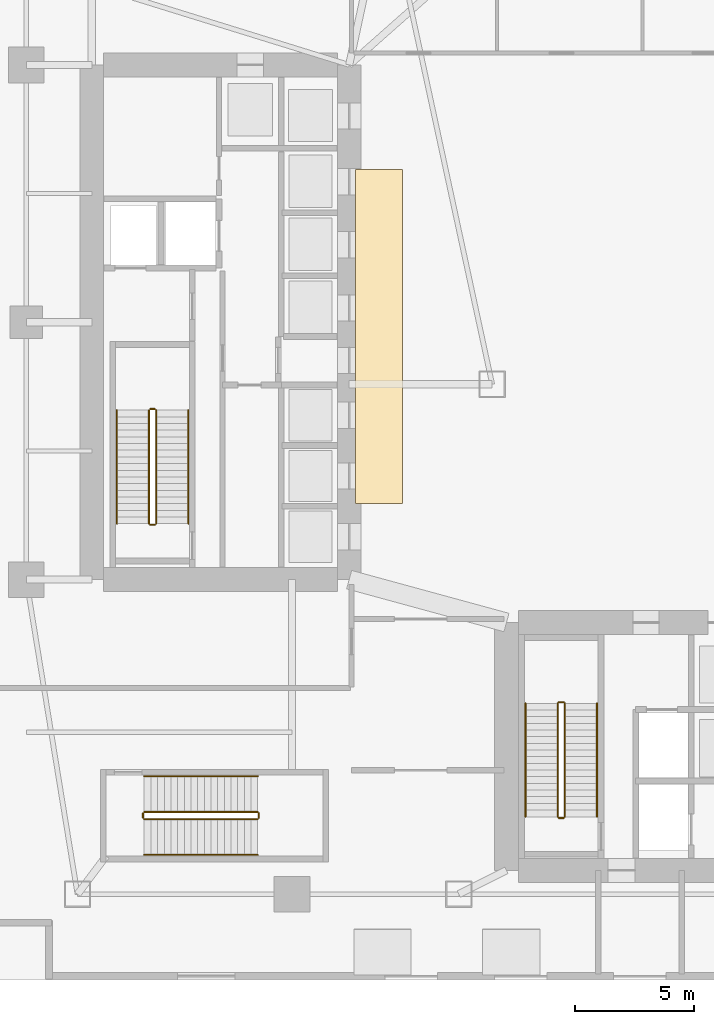
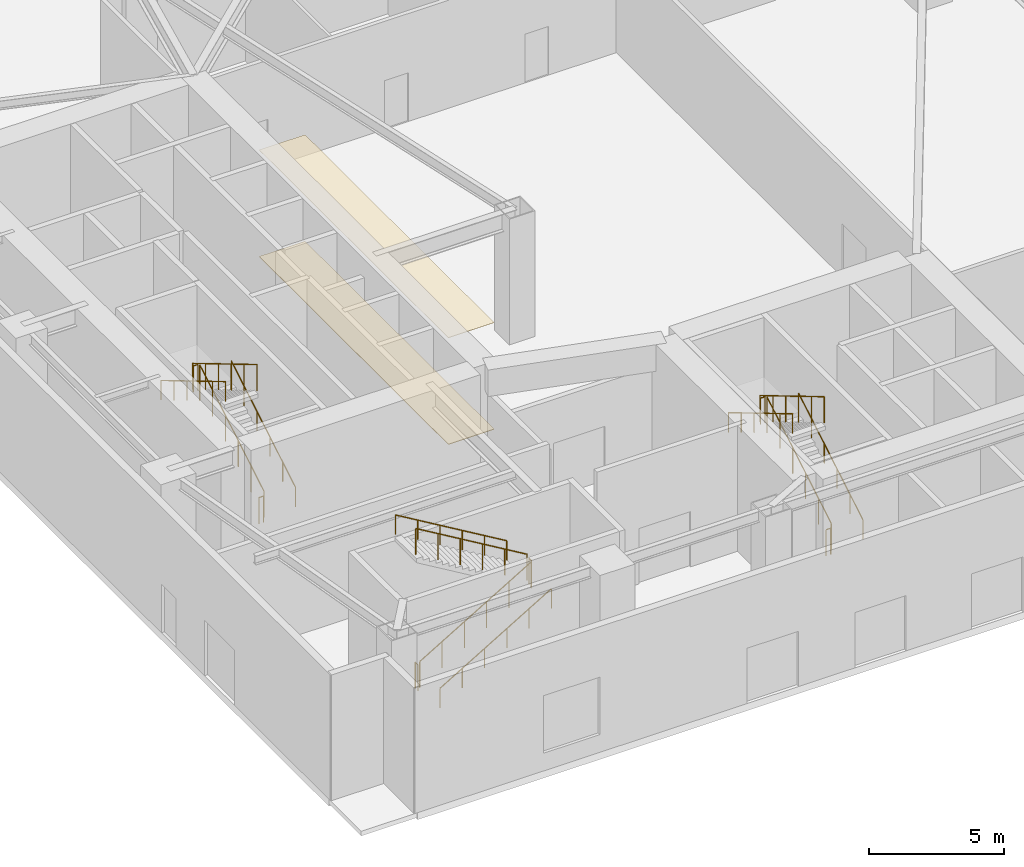
# One storey, part 16 of 20: 18 railings, 2 coverings.
"""IFC4 building model written with IfcOpenShell, lengths in metres."""

from ifc_helpers import new_model, si_unit, direction, frame, origin, origin_2d, place, context, subcontext, project, spatial, rectangle, circle, extrude, material, layer, layer_set, type_object, element, save


model = new_model("IFC4")

# Units and contexts
model_context = context("Model", 3, precision=1e-05, world=origin(), true_north=direction((0.0, 1.0)))
body_context = subcontext(model_context, "Body", "Model", "MODEL_VIEW")
ifc_project = project(units=[si_unit("LENGTHUNIT", "METRE"), si_unit("AREAUNIT", "SQUARE_METRE"), si_unit("VOLUMEUNIT", "CUBIC_METRE"), si_unit("PLANEANGLEUNIT", "RADIAN"), si_unit("MASSUNIT", "GRAM", prefix="KILO")], contexts=[model_context])

# Site, building, storey
site_placement = place(None, origin())
site = spatial("IfcSite", under=ifc_project, at=site_placement, CompositionType="ELEMENT")
building_placement = place(site_placement, origin())
building = spatial("IfcBuilding", under=site, at=building_placement, Name="Calvorn Quay Hotel", CompositionType="ELEMENT")
storey_placement = place(building_placement, origin())
storey = spatial("IfcBuildingStorey", under=building, at=storey_placement, Name="L00", CompositionType="ELEMENT", Elevation=0.0)

# Coverings
ifc_material_1 = material(Name="Anodised Aluminium Acoustic Baffle", Category="aluminium")
ifc_layer_1 = layer(ifc_material_1, 0.02001953125)
ifc_layer_set_1 = layer_set([ifc_layer_1], Name="COV-CEIL-METAL")
covering_type_1 = type_object("IfcCoveringType", Name="COV-CEIL-METAL", PredefinedType="CEILING", material=ifc_layer_set_1)
covering_1_placement = place(storey_placement, frame((16.25, 27.0, 4.820068359375), z_axis=(0.0, 0.0, 1.0), x_axis=(1.0, 0.0, 0.0)))
element("IfcCovering", 1, at=covering_1_placement, inside=storey, type_object=covering_type_1, Name="Acoustic Suspended Ceiling (L00)", PredefinedType="CEILING", context=body_context, shape_type="SweptSolid", body=[
    extrude(rectangle(XDim=1.9599609375, YDim=14.0, at=origin_2d()), origin(), (0.0, 0.0, 1.0), 0.02001953125),
])
ifc_material_2 = material(Name="Honed Granite Stone Flooring", Category="masonry")
ifc_layer_2 = layer(ifc_material_2, 0.02392578125)
ifc_layer_set_2 = layer_set([ifc_layer_2], Name="COV-FLOOR-STONE")
covering_type_2 = type_object("IfcCoveringType", Name="COV-FLOOR-STONE", PredefinedType="FLOORING", material=ifc_layer_set_2)
covering_2_placement = place(storey_placement, frame((16.25, 27.0, 0.0), z_axis=(0.0, 0.0, 1.0), x_axis=(1.0, 0.0, 0.0)))
element("IfcCovering", 2, at=covering_2_placement, inside=storey, type_object=covering_type_2, Name="Interior Floor Finish (L00)", PredefinedType="FLOORING", context=body_context, shape_type="SweptSolid", body=[
    extrude(rectangle(XDim=1.9599609375, YDim=14.0, at=origin_2d()), origin(), (0.0, 0.0, 1.0), 0.02392578125),
])

# Railings
ifc_material_3 = material(Name="Brushed Stainless Steel Handrail", Category="steel")
railing_type_1 = type_object("IfcRailingType", Name="RLG-HANDRAIL-900", PredefinedType="HANDRAIL", material=ifc_material_3)
railing_1_placement = place(storey_placement, frame((8.25, 19.14990234375, 0.166748046875)))
element("IfcRailing", 3, at=railing_1_placement, inside=storey, type_object=railing_type_1, Name="L00 ST-W stair handrail 1", PredefinedType="HANDRAIL", context=body_context, shape_type="SweptSolid", body=[
    extrude(circle(Radius=0.02392578125, at=origin_2d()), frame((0.0, 0.0, 0.8759765625), z_axis=(0.0, 0.859299802514, 0.511472237174), x_axis=(-1.0, 0.0, 0.0)), (0.0, 0.0, 1.0), 5.539306640625),
    extrude(circle(Radius=0.02099609375, at=origin_2d()), origin(), (0.0, 0.0, 1.0), 0.851806640625),
    extrude(circle(Radius=0.02099609375, at=origin_2d()), frame((0.0, 0.951904296875, 0.566650390625)), (0.0, 0.0, 1.0), 0.851806640625),
    extrude(circle(Radius=0.02099609375, at=origin_2d()), frame((0.0, 1.904052734375, 1.13330078125)), (0.0, 0.0, 1.0), 0.851806640625),
    extrude(circle(Radius=0.02099609375, at=origin_2d()), frame((0.0, 2.85595703125, 1.699951171875)), (0.0, 0.0, 1.0), 0.851806640625),
    extrude(circle(Radius=0.02099609375, at=origin_2d()), frame((0.0, 3.80810546875, 2.2666015625)), (0.0, 0.0, 1.0), 0.851806640625),
    extrude(circle(Radius=0.02099609375, at=origin_2d()), frame((0.0, 4.760009765625, 2.833251953125)), (0.0, 0.0, 1.0), 0.851806640625),
])
railing_2_placement = place(storey_placement, frame((5.25, 23.909912109375, 3.166748046875)))
element("IfcRailing", 4, at=railing_2_placement, inside=storey, type_object=railing_type_1, Name="L00 ST-W stair handrail 2", PredefinedType="HANDRAIL", context=body_context, shape_type="SweptSolid", body=[
    extrude(circle(Radius=0.02392578125, at=origin_2d()), frame((0.0, 0.0, 0.8759765625), z_axis=(0.0, -0.859299802514, 0.511472237174), x_axis=(1.0, 0.0, 0.0)), (0.0, 0.0, 1.0), 5.539306640625),
    extrude(circle(Radius=0.02099609375, at=origin_2d()), origin(), (0.0, 0.0, 1.0), 0.851806640625),
    extrude(circle(Radius=0.02099609375, at=origin_2d()), frame((0.0, -0.951904296875, 0.566650390625)), (0.0, 0.0, 1.0), 0.851806640625),
    extrude(circle(Radius=0.02099609375, at=origin_2d()), frame((0.0, -1.904052734375, 1.13330078125)), (0.0, 0.0, 1.0), 0.851806640625),
    extrude(circle(Radius=0.02099609375, at=origin_2d()), frame((0.0, -2.85595703125, 1.699951171875)), (0.0, 0.0, 1.0), 0.851806640625),
    extrude(circle(Radius=0.02099609375, at=origin_2d()), frame((0.0, -3.80810546875, 2.2666015625)), (0.0, 0.0, 1.0), 0.851806640625),
    extrude(circle(Radius=0.02099609375, at=origin_2d()), frame((0.0, -4.760009765625, 2.833251953125)), (0.0, 0.0, 1.0), 0.851806640625),
])
railing_3_placement = place(storey_placement, frame((25.39990234375, 6.85009765625, 0.166748046875)))
element("IfcRailing", 5, at=railing_3_placement, inside=storey, type_object=railing_type_1, Name="L00 ST-E stair handrail 1", PredefinedType="HANDRAIL", context=body_context, shape_type="SweptSolid", body=[
    extrude(circle(Radius=0.02392578125, at=origin_2d()), frame((0.0, 0.0, 0.8759765625), z_axis=(0.0, 0.859299802514, 0.511472237174), x_axis=(-1.0, 0.0, 0.0)), (0.0, 0.0, 1.0), 5.539306640625),
    extrude(circle(Radius=0.02099609375, at=origin_2d()), origin(), (0.0, 0.0, 1.0), 0.851806640625),
    extrude(circle(Radius=0.02099609375, at=origin_2d()), frame((0.0, 0.951904296875, 0.566650390625)), (0.0, 0.0, 1.0), 0.851806640625),
    extrude(circle(Radius=0.02099609375, at=origin_2d()), frame((0.0, 1.904052734375, 1.13330078125)), (0.0, 0.0, 1.0), 0.851806640625),
    extrude(circle(Radius=0.02099609375, at=origin_2d()), frame((0.0, 2.85595703125, 1.699951171875)), (0.0, 0.0, 1.0), 0.851806640625),
    extrude(circle(Radius=0.02099609375, at=origin_2d()), frame((0.0, 3.80810546875, 2.2666015625)), (0.0, 0.0, 1.0), 0.851806640625),
    extrude(circle(Radius=0.02099609375, at=origin_2d()), frame((0.0, 4.760009765625, 2.833251953125)), (0.0, 0.0, 1.0), 0.851806640625),
])
railing_4_placement = place(storey_placement, frame((22.39990234375, 11.610107421875, 3.166748046875)))
element("IfcRailing", 6, at=railing_4_placement, inside=storey, type_object=railing_type_1, Name="L00 ST-E stair handrail 2", PredefinedType="HANDRAIL", context=body_context, shape_type="SweptSolid", body=[
    extrude(circle(Radius=0.02392578125, at=origin_2d()), frame((0.0, 0.0, 0.8759765625), z_axis=(0.0, -0.859299802514, 0.511472237174), x_axis=(1.0, 0.0, 0.0)), (0.0, 0.0, 1.0), 5.539306640625),
    extrude(circle(Radius=0.02099609375, at=origin_2d()), origin(), (0.0, 0.0, 1.0), 0.851806640625),
    extrude(circle(Radius=0.02099609375, at=origin_2d()), frame((0.0, -0.951904296875, 0.566650390625)), (0.0, 0.0, 1.0), 0.851806640625),
    extrude(circle(Radius=0.02099609375, at=origin_2d()), frame((0.0, -1.904052734375, 1.13330078125)), (0.0, 0.0, 1.0), 0.851806640625),
    extrude(circle(Radius=0.02099609375, at=origin_2d()), frame((0.0, -2.85595703125, 1.699951171875)), (0.0, 0.0, 1.0), 0.851806640625),
    extrude(circle(Radius=0.02099609375, at=origin_2d()), frame((0.0, -3.80810546875, 2.2666015625)), (0.0, 0.0, 1.0), 0.851806640625),
    extrude(circle(Radius=0.02099609375, at=origin_2d()), frame((0.0, -4.760009765625, 2.833251953125)), (0.0, 0.0, 1.0), 0.851806640625),
])
railing_5_placement = place(storey_placement, frame((6.39990234375, 5.25, 0.166748046875)))
element("IfcRailing", 7, at=railing_5_placement, inside=storey, type_object=railing_type_1, Name="L00 ST-P2 stair handrail 1", PredefinedType="HANDRAIL", context=body_context, shape_type="SweptSolid", body=[
    extrude(circle(Radius=0.02392578125, at=origin_2d()), frame((0.0, 0.0, 0.8759765625), z_axis=(0.859299802514, 0.0, 0.511472237174), x_axis=(0.0, 1.0, 0.0)), (0.0, 0.0, 1.0), 5.539306640625),
    extrude(circle(Radius=0.02099609375, at=origin_2d()), origin(), (0.0, 0.0, 1.0), 0.851806640625),
    extrude(circle(Radius=0.02099609375, at=origin_2d()), frame((0.951904296875, 0.0, 0.566650390625)), (0.0, 0.0, 1.0), 0.851806640625),
    extrude(circle(Radius=0.02099609375, at=origin_2d()), frame((1.904052734375, 0.0, 1.13330078125)), (0.0, 0.0, 1.0), 0.851806640625),
    extrude(circle(Radius=0.02099609375, at=origin_2d()), frame((2.85595703125, 0.0, 1.699951171875)), (0.0, 0.0, 1.0), 0.851806640625),
    extrude(circle(Radius=0.02099609375, at=origin_2d()), frame((3.80810546875, 0.0, 2.2666015625)), (0.0, 0.0, 1.0), 0.851806640625),
    extrude(circle(Radius=0.02099609375, at=origin_2d()), frame((4.760009765625, 0.0, 2.833251953125)), (0.0, 0.0, 1.0), 0.851806640625),
])
railing_6_placement = place(storey_placement, frame((11.159912109375, 8.550048828125, 3.166748046875)))
element("IfcRailing", 8, at=railing_6_placement, inside=storey, type_object=railing_type_1, Name="L00 ST-P2 stair handrail 2", PredefinedType="HANDRAIL", context=body_context, shape_type="SweptSolid", body=[
    extrude(circle(Radius=0.02392578125, at=origin_2d()), frame((0.0, 0.0, 0.8759765625), z_axis=(-0.859299802514, 0.0, 0.511472237174), x_axis=(0.0, -1.0, 0.0)), (0.0, 0.0, 1.0), 5.539306640625),
    extrude(circle(Radius=0.02099609375, at=origin_2d()), origin(), (0.0, 0.0, 1.0), 0.851806640625),
    extrude(circle(Radius=0.02099609375, at=origin_2d()), frame((-0.951904296875, 0.0, 0.566650390625)), (0.0, 0.0, 1.0), 0.851806640625),
    extrude(circle(Radius=0.02099609375, at=origin_2d()), frame((-1.904052734375, 0.0, 1.13330078125)), (0.0, 0.0, 1.0), 0.851806640625),
    extrude(circle(Radius=0.02099609375, at=origin_2d()), frame((-2.85595703125, 0.0, 1.699951171875)), (0.0, 0.0, 1.0), 0.851806640625),
    extrude(circle(Radius=0.02099609375, at=origin_2d()), frame((-3.80810546875, 0.0, 2.2666015625)), (0.0, 0.0, 1.0), 0.851806640625),
    extrude(circle(Radius=0.02099609375, at=origin_2d()), frame((-4.760009765625, 0.0, 2.833251953125)), (0.0, 0.0, 1.0), 0.851806640625),
])
ifc_material_4 = material(Name="Painted Galvanised Steel Balustrade", Category="steel")
railing_type_2 = type_object("IfcRailingType", Name="RLG-STAIR-GUARD-1120", PredefinedType="GUARDRAIL", material=ifc_material_4)
railing_7_placement = place(storey_placement, frame((6.89990234375, 19.14990234375, 0.166748046875)))
element("IfcRailing", 9, at=railing_7_placement, inside=storey, type_object=railing_type_2, Name="L00 ST-W stair guard 1", PredefinedType="GUARDRAIL", context=body_context, shape_type="SweptSolid", body=[
    extrude(circle(Radius=0.02392578125, at=origin_2d()), frame((0.0, 0.0, 1.17578125), z_axis=(0.0, 0.859299802514, 0.511472237174), x_axis=(-1.0, 0.0, 0.0)), (0.0, 0.0, 1.0), 5.539306640625),
    extrude(circle(Radius=0.02099609375, at=origin_2d()), origin(), (0.0, 0.0, 1.0), 1.15185546875),
    extrude(circle(Radius=0.02099609375, at=origin_2d()), frame((0.0, 0.951904296875, 0.566650390625)), (0.0, 0.0, 1.0), 1.15185546875),
    extrude(circle(Radius=0.02099609375, at=origin_2d()), frame((0.0, 1.904052734375, 1.13330078125)), (0.0, 0.0, 1.0), 1.15185546875),
    extrude(circle(Radius=0.02099609375, at=origin_2d()), frame((0.0, 2.85595703125, 1.699951171875)), (0.0, 0.0, 1.0), 1.15185546875),
    extrude(circle(Radius=0.02099609375, at=origin_2d()), frame((0.0, 3.80810546875, 2.2666015625)), (0.0, 0.0, 1.0), 1.15185546875),
    extrude(circle(Radius=0.02099609375, at=origin_2d()), frame((0.0, 4.760009765625, 2.833251953125)), (0.0, 0.0, 1.0), 1.15185546875),
])
railing_8_placement = place(storey_placement, frame((6.85009765625, 23.9599609375, 3.0)))
element("IfcRailing", 10, at=railing_8_placement, inside=storey, type_object=railing_type_2, Name="L00 ST-W stair guard 2", PredefinedType="GUARDRAIL", context=body_context, shape_type="SweptSolid", body=[
    extrude(circle(Radius=0.02392578125, at=origin_2d()), frame((0.0, 0.0, 1.17578125), z_axis=(-1.0, 0.0, 0.0), x_axis=(0.0, -1.0, 0.0)), (0.0, 0.0, 1.0), 0.2001953125),
    extrude(circle(Radius=0.02099609375, at=origin_2d()), origin(), (0.0, 0.0, 1.0), 1.15185546875),
    extrude(circle(Radius=0.02099609375, at=origin_2d()), frame((-0.2001953125, 0.0, 0.0)), (0.0, 0.0, 1.0), 1.15185546875),
])
railing_9_placement = place(storey_placement, frame((6.60009765625, 23.909912109375, 3.166748046875)))
element("IfcRailing", 11, at=railing_9_placement, inside=storey, type_object=railing_type_2, Name="L00 ST-W stair guard 3", PredefinedType="GUARDRAIL", context=body_context, shape_type="SweptSolid", body=[
    extrude(circle(Radius=0.02392578125, at=origin_2d()), frame((0.0, 0.0, 1.17578125), z_axis=(0.0, -0.859299802514, 0.511472237174), x_axis=(1.0, 0.0, 0.0)), (0.0, 0.0, 1.0), 5.539306640625),
    extrude(circle(Radius=0.02099609375, at=origin_2d()), origin(), (0.0, 0.0, 1.0), 1.15185546875),
    extrude(circle(Radius=0.02099609375, at=origin_2d()), frame((0.0, -0.951904296875, 0.566650390625)), (0.0, 0.0, 1.0), 1.15185546875),
    extrude(circle(Radius=0.02099609375, at=origin_2d()), frame((0.0, -1.904052734375, 1.13330078125)), (0.0, 0.0, 1.0), 1.15185546875),
    extrude(circle(Radius=0.02099609375, at=origin_2d()), frame((0.0, -2.85595703125, 1.699951171875)), (0.0, 0.0, 1.0), 1.15185546875),
    extrude(circle(Radius=0.02099609375, at=origin_2d()), frame((0.0, -3.80810546875, 2.2666015625)), (0.0, 0.0, 1.0), 1.15185546875),
    extrude(circle(Radius=0.02099609375, at=origin_2d()), frame((0.0, -4.760009765625, 2.833251953125)), (0.0, 0.0, 1.0), 1.15185546875),
])
railing_10_placement = place(storey_placement, frame((6.85009765625, 19.10009765625, 0.0)))
element("IfcRailing", 12, at=railing_10_placement, inside=storey, type_object=railing_type_2, Name="L00 ST-W stair guard 4", PredefinedType="GUARDRAIL", context=body_context, shape_type="SweptSolid", body=[
    extrude(circle(Radius=0.02392578125, at=origin_2d()), frame((0.0, 0.0, 1.17578125), z_axis=(-1.0, 0.0, 0.0), x_axis=(0.0, -1.0, 0.0)), (0.0, 0.0, 1.0), 0.2001953125),
    extrude(circle(Radius=0.02099609375, at=origin_2d()), origin(), (0.0, 0.0, 1.0), 1.15185546875),
    extrude(circle(Radius=0.02099609375, at=origin_2d()), frame((-0.2001953125, 0.0, 0.0)), (0.0, 0.0, 1.0), 1.15185546875),
])
railing_11_placement = place(storey_placement, frame((24.050048828125, 6.85009765625, 0.166748046875)))
element("IfcRailing", 13, at=railing_11_placement, inside=storey, type_object=railing_type_2, Name="L00 ST-E stair guard 1", PredefinedType="GUARDRAIL", context=body_context, shape_type="SweptSolid", body=[
    extrude(circle(Radius=0.02392578125, at=origin_2d()), frame((0.0, 0.0, 1.17578125), z_axis=(0.0, 0.859299802514, 0.511472237174), x_axis=(-1.0, 0.0, 0.0)), (0.0, 0.0, 1.0), 5.539306640625),
    extrude(circle(Radius=0.02099609375, at=origin_2d()), origin(), (0.0, 0.0, 1.0), 1.15185546875),
    extrude(circle(Radius=0.02099609375, at=origin_2d()), frame((0.0, 0.951904296875, 0.566650390625)), (0.0, 0.0, 1.0), 1.15185546875),
    extrude(circle(Radius=0.02099609375, at=origin_2d()), frame((0.0, 1.904052734375, 1.13330078125)), (0.0, 0.0, 1.0), 1.15185546875),
    extrude(circle(Radius=0.02099609375, at=origin_2d()), frame((0.0, 2.85595703125, 1.699951171875)), (0.0, 0.0, 1.0), 1.15185546875),
    extrude(circle(Radius=0.02099609375, at=origin_2d()), frame((0.0, 3.80810546875, 2.2666015625)), (0.0, 0.0, 1.0), 1.15185546875),
    extrude(circle(Radius=0.02099609375, at=origin_2d()), frame((0.0, 4.760009765625, 2.833251953125)), (0.0, 0.0, 1.0), 1.15185546875),
])
railing_12_placement = place(storey_placement, frame((24.0, 11.659912109375, 3.0)))
element("IfcRailing", 14, at=railing_12_placement, inside=storey, type_object=railing_type_2, Name="L00 ST-E stair guard 2", PredefinedType="GUARDRAIL", context=body_context, shape_type="SweptSolid", body=[
    extrude(circle(Radius=0.02392578125, at=origin_2d()), frame((0.0, 0.0, 1.17578125), z_axis=(-1.0, 0.0, 0.0), x_axis=(0.0, -1.0, 0.0)), (0.0, 0.0, 1.0), 0.199951171875),
    extrude(circle(Radius=0.02099609375, at=origin_2d()), origin(), (0.0, 0.0, 1.0), 1.15185546875),
    extrude(circle(Radius=0.02099609375, at=origin_2d()), frame((-0.199951171875, 0.0, 0.0)), (0.0, 0.0, 1.0), 1.15185546875),
])
railing_13_placement = place(storey_placement, frame((23.75, 11.610107421875, 3.166748046875)))
element("IfcRailing", 15, at=railing_13_placement, inside=storey, type_object=railing_type_2, Name="L00 ST-E stair guard 3", PredefinedType="GUARDRAIL", context=body_context, shape_type="SweptSolid", body=[
    extrude(circle(Radius=0.02392578125, at=origin_2d()), frame((0.0, 0.0, 1.17578125), z_axis=(0.0, -0.859299802514, 0.511472237174), x_axis=(1.0, 0.0, 0.0)), (0.0, 0.0, 1.0), 5.539306640625),
    extrude(circle(Radius=0.02099609375, at=origin_2d()), origin(), (0.0, 0.0, 1.0), 1.15185546875),
    extrude(circle(Radius=0.02099609375, at=origin_2d()), frame((0.0, -0.951904296875, 0.566650390625)), (0.0, 0.0, 1.0), 1.15185546875),
    extrude(circle(Radius=0.02099609375, at=origin_2d()), frame((0.0, -1.904052734375, 1.13330078125)), (0.0, 0.0, 1.0), 1.15185546875),
    extrude(circle(Radius=0.02099609375, at=origin_2d()), frame((0.0, -2.85595703125, 1.699951171875)), (0.0, 0.0, 1.0), 1.15185546875),
    extrude(circle(Radius=0.02099609375, at=origin_2d()), frame((0.0, -3.80810546875, 2.2666015625)), (0.0, 0.0, 1.0), 1.15185546875),
    extrude(circle(Radius=0.02099609375, at=origin_2d()), frame((0.0, -4.760009765625, 2.833251953125)), (0.0, 0.0, 1.0), 1.15185546875),
])
railing_14_placement = place(storey_placement, frame((24.0, 6.800048828125, 0.0)))
element("IfcRailing", 16, at=railing_14_placement, inside=storey, type_object=railing_type_2, Name="L00 ST-E stair guard 4", PredefinedType="GUARDRAIL", context=body_context, shape_type="SweptSolid", body=[
    extrude(circle(Radius=0.02392578125, at=origin_2d()), frame((0.0, 0.0, 1.17578125), z_axis=(-1.0, 0.0, 0.0), x_axis=(0.0, -1.0, 0.0)), (0.0, 0.0, 1.0), 0.199951171875),
    extrude(circle(Radius=0.02099609375, at=origin_2d()), origin(), (0.0, 0.0, 1.0), 1.15185546875),
    extrude(circle(Radius=0.02099609375, at=origin_2d()), frame((-0.199951171875, 0.0, 0.0)), (0.0, 0.0, 1.0), 1.15185546875),
])
railing_15_placement = place(storey_placement, frame((6.39990234375, 6.75, 0.166748046875)))
element("IfcRailing", 17, at=railing_15_placement, inside=storey, type_object=railing_type_2, Name="L00 ST-P2 stair guard 1", PredefinedType="GUARDRAIL", context=body_context, shape_type="SweptSolid", body=[
    extrude(circle(Radius=0.02392578125, at=origin_2d()), frame((0.0, 0.0, 1.17578125), z_axis=(0.859299802514, 0.0, 0.511472237174), x_axis=(0.0, 1.0, 0.0)), (0.0, 0.0, 1.0), 5.539306640625),
    extrude(circle(Radius=0.02099609375, at=origin_2d()), origin(), (0.0, 0.0, 1.0), 1.15185546875),
    extrude(circle(Radius=0.02099609375, at=origin_2d()), frame((0.951904296875, 0.0, 0.566650390625)), (0.0, 0.0, 1.0), 1.15185546875),
    extrude(circle(Radius=0.02099609375, at=origin_2d()), frame((1.904052734375, 0.0, 1.13330078125)), (0.0, 0.0, 1.0), 1.15185546875),
    extrude(circle(Radius=0.02099609375, at=origin_2d()), frame((2.85595703125, 0.0, 1.699951171875)), (0.0, 0.0, 1.0), 1.15185546875),
    extrude(circle(Radius=0.02099609375, at=origin_2d()), frame((3.80810546875, 0.0, 2.2666015625)), (0.0, 0.0, 1.0), 1.15185546875),
    extrude(circle(Radius=0.02099609375, at=origin_2d()), frame((4.760009765625, 0.0, 2.833251953125)), (0.0, 0.0, 1.0), 1.15185546875),
])
railing_16_placement = place(storey_placement, frame((11.2099609375, 6.800048828125, 3.0)))
element("IfcRailing", 18, at=railing_16_placement, inside=storey, type_object=railing_type_2, Name="L00 ST-P2 stair guard 2", PredefinedType="GUARDRAIL", context=body_context, shape_type="SweptSolid", body=[
    extrude(circle(Radius=0.02392578125, at=origin_2d()), frame((0.0, 0.0, 1.17578125), z_axis=(0.0, 1.0, 0.0), x_axis=(-1.0, 0.0, 0.0)), (0.0, 0.0, 1.0), 0.199951171875),
    extrude(circle(Radius=0.02099609375, at=origin_2d()), origin(), (0.0, 0.0, 1.0), 1.15185546875),
    extrude(circle(Radius=0.02099609375, at=origin_2d()), frame((0.0, 0.199951171875, 0.0)), (0.0, 0.0, 1.0), 1.15185546875),
])
railing_17_placement = place(storey_placement, frame((11.159912109375, 7.050048828125, 3.166748046875)))
element("IfcRailing", 19, at=railing_17_placement, inside=storey, type_object=railing_type_2, Name="L00 ST-P2 stair guard 3", PredefinedType="GUARDRAIL", context=body_context, shape_type="SweptSolid", body=[
    extrude(circle(Radius=0.02392578125, at=origin_2d()), frame((0.0, 0.0, 1.17578125), z_axis=(-0.859299802514, 0.0, 0.511472237174), x_axis=(0.0, -1.0, 0.0)), (0.0, 0.0, 1.0), 5.539306640625),
    extrude(circle(Radius=0.02099609375, at=origin_2d()), origin(), (0.0, 0.0, 1.0), 1.15185546875),
    extrude(circle(Radius=0.02099609375, at=origin_2d()), frame((-0.951904296875, 0.0, 0.566650390625)), (0.0, 0.0, 1.0), 1.15185546875),
    extrude(circle(Radius=0.02099609375, at=origin_2d()), frame((-1.904052734375, 0.0, 1.13330078125)), (0.0, 0.0, 1.0), 1.15185546875),
    extrude(circle(Radius=0.02099609375, at=origin_2d()), frame((-2.85595703125, 0.0, 1.699951171875)), (0.0, 0.0, 1.0), 1.15185546875),
    extrude(circle(Radius=0.02099609375, at=origin_2d()), frame((-3.80810546875, 0.0, 2.2666015625)), (0.0, 0.0, 1.0), 1.15185546875),
    extrude(circle(Radius=0.02099609375, at=origin_2d()), frame((-4.760009765625, 0.0, 2.833251953125)), (0.0, 0.0, 1.0), 1.15185546875),
])
railing_18_placement = place(storey_placement, frame((6.35009765625, 6.800048828125, 0.0)))
element("IfcRailing", 20, at=railing_18_placement, inside=storey, type_object=railing_type_2, Name="L00 ST-P2 stair guard 4", PredefinedType="GUARDRAIL", context=body_context, shape_type="SweptSolid", body=[
    extrude(circle(Radius=0.02392578125, at=origin_2d()), frame((0.0, 0.0, 1.17578125), z_axis=(0.0, 1.0, 0.0), x_axis=(-1.0, 0.0, 0.0)), (0.0, 0.0, 1.0), 0.199951171875),
    extrude(circle(Radius=0.02099609375, at=origin_2d()), origin(), (0.0, 0.0, 1.0), 1.15185546875),
    extrude(circle(Radius=0.02099609375, at=origin_2d()), frame((0.0, 0.199951171875, 0.0)), (0.0, 0.0, 1.0), 1.15185546875),
])

save(model, "model.ifc")
